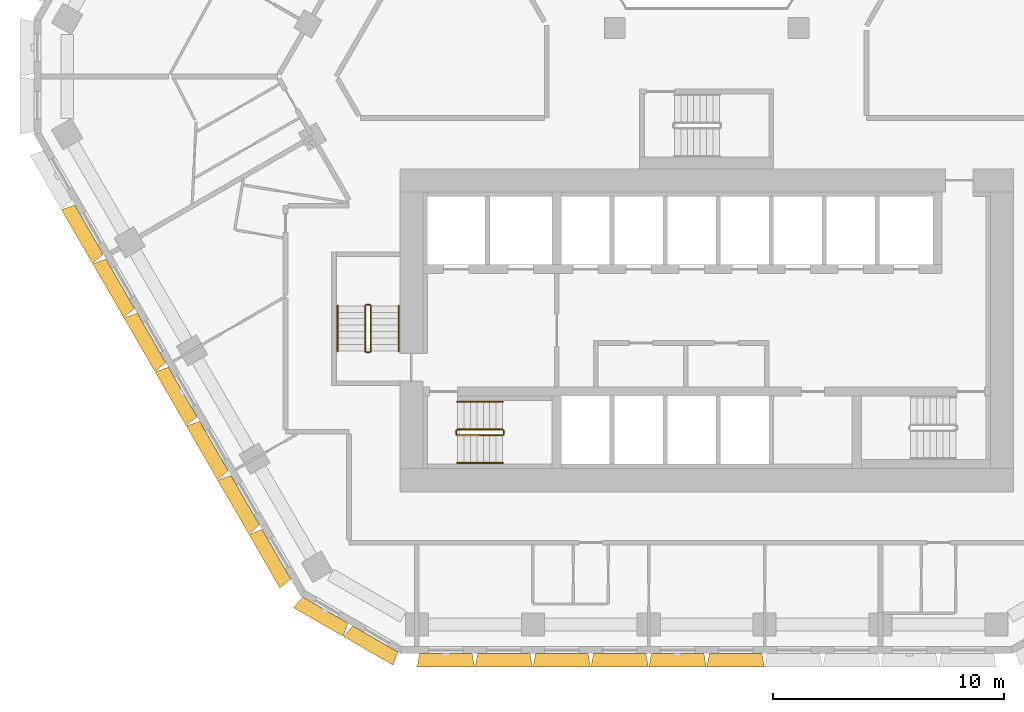
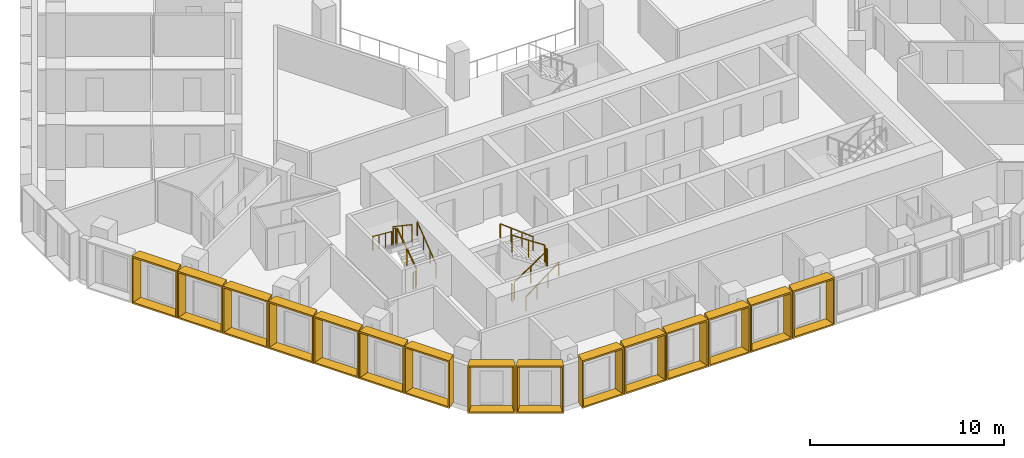
# One storey, part 15 of 18: 15 shading devices, 12 railings.
"""IFC4 building model written with IfcOpenShell, lengths in metres."""

from ifc_helpers import new_model, entity, si_unit, direction, frame, origin, origin_2d, place, context, subcontext, project, spatial, rectangle, extrude, source, transform, mapped, material, type_object, type_shapes, element, save


model = new_model("IFC4")

# Units and contexts
model_context = context("Model", 3, precision=1e-05, world=origin(), true_north=direction((0.0, 1.0)))
body_context = subcontext(model_context, "Body", "Model", "MODEL_VIEW")
ifc_project = project(units=[si_unit("LENGTHUNIT", "METRE"), si_unit("AREAUNIT", "SQUARE_METRE"), si_unit("VOLUMEUNIT", "CUBIC_METRE"), si_unit("PLANEANGLEUNIT", "RADIAN"), si_unit("MASSUNIT", "GRAM", prefix="KILO")], contexts=[model_context])

# Site, building, storey
site_placement = place(None, origin())
site = spatial("IfcSite", under=ifc_project, at=site_placement, CompositionType="ELEMENT")
building_placement = place(site_placement, origin())
building = spatial("IfcBuilding", under=site, at=building_placement, Name="Beryl Residences", CompositionType="ELEMENT")
storey_placement = place(building_placement, frame((0.0, 0.0, 105.0)))
storey = spatial("IfcBuildingStorey", under=building, at=storey_placement, Name="L32", CompositionType="ELEMENT", Elevation=105.0)

# Shading devices
ifc_material_1 = material(Name="Aluminium pale anodised", Category="aluminium")
shading_device_type_1 = type_object("IfcShadingDeviceType", Name="FR250-60A OUTER SKIN frame 600 mm deep, splay 10/10 deg, 2500 x 3000 mm cell", PredefinedType="USERDEFINED", material=ifc_material_1)
cartesian_point_1 = entity("IfcCartesianPoint", [-1.134033203125, 0.0])
cartesian_point_2 = entity("IfcCartesianPoint", [-1.052734375, 0.10009765625])
cartesian_point_3 = entity("IfcCartesianPoint", [-1.23974609375, 0.0])
cartesian_point_4 = entity("IfcCartesianPoint", [-1.158447265625, 0.10009765625])
shared_shape_1 = source(origin(), body_context, "Body", "SweptSolid", [
    entity("IfcExtrudedAreaSolidTapered", entity("IfcArbitraryProfileDefWithVoids", "AREA", None, entity("IfcPolyline", [cartesian_point_1, entity("IfcCartesianPoint", [1.134033203125, 0.0]), entity("IfcCartesianPoint", [1.134033203125, 3.0]), entity("IfcCartesianPoint", [-1.134033203125, 3.0]), cartesian_point_1]), [entity("IfcPolyline", [cartesian_point_2, entity("IfcCartesianPoint", [1.052734375, 0.10009765625]), entity("IfcCartesianPoint", [1.052734375, 2.89990234375]), entity("IfcCartesianPoint", [-1.052734375, 2.89990234375]), cartesian_point_2])]), entity("IfcAxis2Placement3D", entity("IfcCartesianPoint", [0.0, 0.0, 0.0]), entity("IfcDirection", [0.0, 1.0, 0.0]), entity("IfcDirection", [-1.0, 0.0, 0.0])), entity("IfcDirection", [0.0, 0.0, 1.0]), 0.60009765625, entity("IfcArbitraryProfileDefWithVoids", "AREA", None, entity("IfcPolyline", [cartesian_point_3, entity("IfcCartesianPoint", [1.23974609375, 0.0]), entity("IfcCartesianPoint", [1.23974609375, 3.0]), entity("IfcCartesianPoint", [-1.23974609375, 3.0]), cartesian_point_3]), [entity("IfcPolyline", [cartesian_point_4, entity("IfcCartesianPoint", [1.158447265625, 0.10009765625]), entity("IfcCartesianPoint", [1.158447265625, 2.89990234375]), entity("IfcCartesianPoint", [-1.158447265625, 2.89990234375]), cartesian_point_4])])),
])
type_shapes(shading_device_type_1, [shared_shape_1])
for number, where, z_axis, x_axis, name in (
    (1, (-16.527099609375, -24.125, 0.0), (0.0, 0.0, 1.0), (-0.866025403784, 0.5, 0.0), "FR250-60A frame L32 SW-S 1"),
    (2, (-14.361083984375, -25.375, 0.0), (0.0, 0.0, 1.0), (-0.866025403784, 0.5, 0.0), "FR250-60A frame L32 SW-S 2"),
):
    element("IfcShadingDevice", number, at=place(storey_placement, frame(where, z_axis=z_axis, x_axis=x_axis)), inside=storey, type_object=shading_device_type_1, Name=name, ObjectType="OUTER SKIN", PredefinedType="USERDEFINED", context=body_context, shape_type="MappedRepresentation", body=[
        mapped(shared_shape_1, transform((0.0, 0.0, 0.0))),
    ])
ifc_material_2 = material(Name="Aluminium pale anodised", Category="aluminium")
shading_device_type_2 = type_object("IfcShadingDeviceType", Name="FR251-60A OUTER SKIN frame 600 mm deep, splay 10/10 deg, 2510 x 3000 mm cell", PredefinedType="USERDEFINED", material=ifc_material_2)
cartesian_point_5 = entity("IfcCartesianPoint", [-1.138916015625, 0.0])
cartesian_point_6 = entity("IfcCartesianPoint", [-1.057861328125, 0.10009765625])
cartesian_point_7 = entity("IfcCartesianPoint", [-1.244873046875, 0.0])
cartesian_point_8 = entity("IfcCartesianPoint", [-1.16357421875, 0.10009765625])
shared_shape_2 = source(origin(), body_context, "Body", "SweptSolid", [
    entity("IfcExtrudedAreaSolidTapered", entity("IfcArbitraryProfileDefWithVoids", "AREA", None, entity("IfcPolyline", [cartesian_point_5, entity("IfcCartesianPoint", [1.138916015625, 0.0]), entity("IfcCartesianPoint", [1.138916015625, 3.0]), entity("IfcCartesianPoint", [-1.138916015625, 3.0]), cartesian_point_5]), [entity("IfcPolyline", [cartesian_point_6, entity("IfcCartesianPoint", [1.057861328125, 0.10009765625]), entity("IfcCartesianPoint", [1.057861328125, 2.89990234375]), entity("IfcCartesianPoint", [-1.057861328125, 2.89990234375]), cartesian_point_6])]), entity("IfcAxis2Placement3D", entity("IfcCartesianPoint", [0.0, 0.0, 0.0]), entity("IfcDirection", [0.0, 1.0, 0.0]), entity("IfcDirection", [-1.0, 0.0, 0.0])), entity("IfcDirection", [0.0, 0.0, 1.0]), 0.60009765625, entity("IfcArbitraryProfileDefWithVoids", "AREA", None, entity("IfcPolyline", [cartesian_point_7, entity("IfcCartesianPoint", [1.244873046875, 0.0]), entity("IfcCartesianPoint", [1.244873046875, 3.0]), entity("IfcCartesianPoint", [-1.244873046875, 3.0]), cartesian_point_7]), [entity("IfcPolyline", [cartesian_point_8, entity("IfcCartesianPoint", [1.16357421875, 0.10009765625]), entity("IfcCartesianPoint", [1.16357421875, 2.89990234375]), entity("IfcCartesianPoint", [-1.16357421875, 2.89990234375]), cartesian_point_8])])),
])
type_shapes(shading_device_type_2, [shared_shape_2])
for number, where, z_axis, x_axis, name in (
    (3, (-11.301025390625, -26.0, 0.0), (0.0, 0.0, 1.0), (-1.0, 0.0, 0.0), "FR251-60A frame L32 S 1"),
    (4, (-8.7900390625, -26.0, 0.0), (0.0, 0.0, 1.0), (-1.0, 0.0, 0.0), "FR251-60A frame L32 S 2"),
    (5, (-6.278076171875, -26.0, 0.0), (0.0, 0.0, 1.0), (-1.0, 0.0, 0.0), "FR251-60A frame L32 S 3"),
    (6, (-3.76708984375, -26.0, 0.0), (0.0, 0.0, 1.0), (-1.0, 0.0, 0.0), "FR251-60A frame L32 S 4"),
    (7, (-1.2548828125, -26.0, 0.0), (0.0, 0.0, 1.0), (-1.0, 0.0, 0.0), "FR251-60A frame L32 S 5"),
    (8, (1.256103515625, -26.0, 0.0), (0.0, 0.0, 1.0), (-1.0, 0.0, 0.0), "FR251-60A frame L32 S 6"),
):
    element("IfcShadingDevice", number, at=place(storey_placement, frame(where, z_axis=z_axis, x_axis=x_axis)), inside=storey, type_object=shading_device_type_2, Name=name, ObjectType="OUTER SKIN", PredefinedType="USERDEFINED", context=body_context, shape_type="MappedRepresentation", body=[
        mapped(shared_shape_2, transform((0.0, 0.0, 0.0))),
    ])
ifc_material_3 = material(Name="Aluminium pale anodised", Category="aluminium")
shading_device_type_3 = type_object("IfcShadingDeviceType", Name="FR271-60A OUTER SKIN frame 600 mm deep, splay 10/10 deg, 2710 x 3000 mm cell", PredefinedType="USERDEFINED", material=ifc_material_3)
cartesian_point_9 = entity("IfcCartesianPoint", [-1.239013671875, 0.0])
cartesian_point_10 = entity("IfcCartesianPoint", [-1.15771484375, 0.10009765625])
cartesian_point_11 = entity("IfcCartesianPoint", [-1.3447265625, 0.0])
cartesian_point_12 = entity("IfcCartesianPoint", [-1.263671875, 0.10009765625])
shared_shape_3 = source(origin(), body_context, "Body", "SweptSolid", [
    entity("IfcExtrudedAreaSolidTapered", entity("IfcArbitraryProfileDefWithVoids", "AREA", None, entity("IfcPolyline", [cartesian_point_9, entity("IfcCartesianPoint", [1.239013671875, 0.0]), entity("IfcCartesianPoint", [1.239013671875, 3.0]), entity("IfcCartesianPoint", [-1.239013671875, 3.0]), cartesian_point_9]), [entity("IfcPolyline", [cartesian_point_10, entity("IfcCartesianPoint", [1.15771484375, 0.10009765625]), entity("IfcCartesianPoint", [1.15771484375, 2.89990234375]), entity("IfcCartesianPoint", [-1.15771484375, 2.89990234375]), cartesian_point_10])]), entity("IfcAxis2Placement3D", entity("IfcCartesianPoint", [0.0, 0.0, 0.0]), entity("IfcDirection", [0.0, 1.0, 0.0]), entity("IfcDirection", [-1.0, 0.0, 0.0])), entity("IfcDirection", [0.0, 0.0, 1.0]), 0.60009765625, entity("IfcArbitraryProfileDefWithVoids", "AREA", None, entity("IfcPolyline", [cartesian_point_11, entity("IfcCartesianPoint", [1.3447265625, 0.0]), entity("IfcCartesianPoint", [1.3447265625, 3.0]), entity("IfcCartesianPoint", [-1.3447265625, 3.0]), cartesian_point_11]), [entity("IfcPolyline", [cartesian_point_12, entity("IfcCartesianPoint", [1.263671875, 0.10009765625]), entity("IfcCartesianPoint", [1.263671875, 2.89990234375]), entity("IfcCartesianPoint", [-1.263671875, 2.89990234375]), cartesian_point_12])])),
])
type_shapes(shading_device_type_3, [shared_shape_3])
for number, where, z_axis, x_axis, name in (
    (9, (-26.76611328125, -7.639892578125, 0.0), (0.0, 0.0, 1.0), (-0.5, 0.866025403784, 0.0), "FR271-60A frame L32 SW 2"),
    (10, (-25.4130859375, -9.98388671875, 0.0), (0.0, 0.0, 1.0), (-0.5, 0.866025403784, 0.0), "FR271-60A frame L32 SW 3"),
    (11, (-24.06005859375, -12.327880859375, 0.0), (0.0, 0.0, 1.0), (-0.5, 0.866025403784, 0.0), "FR271-60A frame L32 SW 4"),
    (12, (-22.7060546875, -14.672119140625, 0.0), (0.0, 0.0, 1.0), (-0.5, 0.866025403784, 0.0), "FR271-60A frame L32 SW 5"),
    (13, (-21.35302734375, -17.01611328125, 0.0), (0.0, 0.0, 1.0), (-0.5, 0.866025403784, 0.0), "FR271-60A frame L32 SW 6"),
    (14, (-20.0, -19.360107421875, 0.0), (0.0, 0.0, 1.0), (-0.5, 0.866025403784, 0.0), "FR271-60A frame L32 SW 7"),
    (15, (-18.64697265625, -21.7041015625, 0.0), (0.0, 0.0, 1.0), (-0.5, 0.866025403784, 0.0), "FR271-60A frame L32 SW 8"),
):
    element("IfcShadingDevice", number, at=place(storey_placement, frame(where, z_axis=z_axis, x_axis=x_axis)), inside=storey, type_object=shading_device_type_3, Name=name, ObjectType="OUTER SKIN", PredefinedType="USERDEFINED", context=body_context, shape_type="MappedRepresentation", body=[
        mapped(shared_shape_3, transform((0.0, 0.0, 0.0))),
    ])

# Railings
ifc_material_4 = material(Name="Stainless steel balustrade with glass infill", Category="steel")
railing_type_1 = type_object("IfcRailingType", Name="SG1 stair guard 1100 mm", PredefinedType="GUARDRAIL", material=ifc_material_4)
railing_1_placement = place(storey_placement, frame((-10.800048828125, -16.550048828125, 0.1875)))
element("IfcRailing", 16, at=railing_1_placement, inside=storey, type_object=railing_type_1, Name="L32 ST-1 stair guard 1", PredefinedType="GUARDRAIL", context=body_context, shape_type="SweptSolid", body=[
    extrude(rectangle(XDim=0.048095703125, YDim=0.048095703125, at=origin_2d()), frame((0.0, 0.0, 1.076171875), z_axis=(0.830902050051, 0.0, 0.556418712142), x_axis=(0.0, 1.0, 0.0)), (0.0, 0.0, 1.0), 2.35888671875),
    extrude(rectangle(XDim=0.0419921875, YDim=0.0419921875, at=origin_2d()), origin(), (0.0, 0.0, 1.0), 1.052001953125),
    extrude(rectangle(XDim=0.0419921875, YDim=0.0419921875, at=origin_2d()), frame((0.97998046875, 0.0, 0.65625)), (0.0, 0.0, 1.0), 1.052001953125),
    extrude(rectangle(XDim=0.0419921875, YDim=0.0419921875, at=origin_2d()), frame((1.9599609375, 0.0, 1.3125)), (0.0, 0.0, 1.0), 1.052001953125),
])
railing_2_placement = place(storey_placement, frame((-8.7900390625, -16.5, 1.5)))
element("IfcRailing", 17, at=railing_2_placement, inside=storey, type_object=railing_type_1, Name="L32 ST-1 stair guard 2", PredefinedType="GUARDRAIL", context=body_context, shape_type="SweptSolid", body=[
    extrude(rectangle(XDim=0.048095703125, YDim=0.048095703125, at=origin_2d()), frame((0.0, 0.0, 1.076171875), z_axis=(0.0, 1.0, 0.0), x_axis=(-1.0, 0.0, 0.0)), (0.0, 0.0, 1.0), 0.14990234375),
    extrude(rectangle(XDim=0.0419921875, YDim=0.0419921875, at=origin_2d()), origin(), (0.0, 0.0, 1.0), 1.052001953125),
    extrude(rectangle(XDim=0.0419921875, YDim=0.0419921875, at=origin_2d()), frame((0.0, 0.14990234375, 0.0)), (0.0, 0.0, 1.0), 1.052001953125),
])
railing_3_placement = place(storey_placement, frame((-8.840087890625, -16.300048828125, 1.6875)))
element("IfcRailing", 18, at=railing_3_placement, inside=storey, type_object=railing_type_1, Name="L32 ST-1 stair guard 3", PredefinedType="GUARDRAIL", context=body_context, shape_type="SweptSolid", body=[
    extrude(rectangle(XDim=0.048095703125, YDim=0.048095703125, at=origin_2d()), frame((0.0, 0.0, 1.076171875), z_axis=(-0.830902050051, 0.0, 0.556418712142), x_axis=(0.0, -1.0, 0.0)), (0.0, 0.0, 1.0), 2.35888671875),
    extrude(rectangle(XDim=0.0419921875, YDim=0.0419921875, at=origin_2d()), origin(), (0.0, 0.0, 1.0), 1.052001953125),
    extrude(rectangle(XDim=0.0419921875, YDim=0.0419921875, at=origin_2d()), frame((-0.97998046875, 0.0, 0.65625)), (0.0, 0.0, 1.0), 1.052001953125),
    extrude(rectangle(XDim=0.0419921875, YDim=0.0419921875, at=origin_2d()), frame((-1.9599609375, 0.0, 1.3125)), (0.0, 0.0, 1.0), 1.052001953125),
])
railing_4_placement = place(storey_placement, frame((-10.85009765625, -16.5, 0.0)))
element("IfcRailing", 19, at=railing_4_placement, inside=storey, type_object=railing_type_1, Name="L32 ST-1 stair guard 4", PredefinedType="GUARDRAIL", context=body_context, shape_type="SweptSolid", body=[
    extrude(rectangle(XDim=0.048095703125, YDim=0.048095703125, at=origin_2d()), frame((0.0, 0.0, 1.076171875), z_axis=(0.0, 1.0, 0.0), x_axis=(-1.0, 0.0, 0.0)), (0.0, 0.0, 1.0), 0.14990234375),
    extrude(rectangle(XDim=0.0419921875, YDim=0.0419921875, at=origin_2d()), origin(), (0.0, 0.0, 1.0), 1.052001953125),
    extrude(rectangle(XDim=0.0419921875, YDim=0.0419921875, at=origin_2d()), frame((0.0, 0.14990234375, 0.0)), (0.0, 0.0, 1.0), 1.052001953125),
])
railing_5_placement = place(storey_placement, frame((-14.550048828125, -12.89990234375, 0.1875)))
element("IfcRailing", 20, at=railing_5_placement, inside=storey, type_object=railing_type_1, Name="L32 ST-2 stair guard 1", PredefinedType="GUARDRAIL", context=body_context, shape_type="SweptSolid", body=[
    extrude(rectangle(XDim=0.048095703125, YDim=0.048095703125, at=origin_2d()), frame((0.0, 0.0, 1.076171875), z_axis=(0.0, 0.830902050051, 0.556418712142), x_axis=(-1.0, 0.0, 0.0)), (0.0, 0.0, 1.0), 2.35888671875),
    extrude(rectangle(XDim=0.0419921875, YDim=0.0419921875, at=origin_2d()), origin(), (0.0, 0.0, 1.0), 1.052001953125),
    extrude(rectangle(XDim=0.0419921875, YDim=0.0419921875, at=origin_2d()), frame((0.0, 0.97998046875, 0.65625)), (0.0, 0.0, 1.0), 1.052001953125),
    extrude(rectangle(XDim=0.0419921875, YDim=0.0419921875, at=origin_2d()), frame((0.0, 1.9599609375, 1.3125)), (0.0, 0.0, 1.0), 1.052001953125),
])
railing_6_placement = place(storey_placement, frame((-14.60009765625, -10.889892578125, 1.5)))
element("IfcRailing", 21, at=railing_6_placement, inside=storey, type_object=railing_type_1, Name="L32 ST-2 stair guard 2", PredefinedType="GUARDRAIL", context=body_context, shape_type="SweptSolid", body=[
    extrude(rectangle(XDim=0.048095703125, YDim=0.048095703125, at=origin_2d()), frame((0.0, 0.0, 1.076171875), z_axis=(-1.0, 0.0, 0.0), x_axis=(0.0, -1.0, 0.0)), (0.0, 0.0, 1.0), 0.14990234375),
    extrude(rectangle(XDim=0.0419921875, YDim=0.0419921875, at=origin_2d()), origin(), (0.0, 0.0, 1.0), 1.052001953125),
    extrude(rectangle(XDim=0.0419921875, YDim=0.0419921875, at=origin_2d()), frame((-0.14990234375, 0.0, 0.0)), (0.0, 0.0, 1.0), 1.052001953125),
])
railing_7_placement = place(storey_placement, frame((-14.800048828125, -10.93994140625, 1.6875)))
element("IfcRailing", 22, at=railing_7_placement, inside=storey, type_object=railing_type_1, Name="L32 ST-2 stair guard 3", PredefinedType="GUARDRAIL", context=body_context, shape_type="SweptSolid", body=[
    extrude(rectangle(XDim=0.048095703125, YDim=0.048095703125, at=origin_2d()), frame((0.0, 0.0, 1.076171875), z_axis=(0.0, -0.830902050051, 0.556418712142), x_axis=(1.0, 0.0, 0.0)), (0.0, 0.0, 1.0), 2.35888671875),
    extrude(rectangle(XDim=0.0419921875, YDim=0.0419921875, at=origin_2d()), origin(), (0.0, 0.0, 1.0), 1.052001953125),
    extrude(rectangle(XDim=0.0419921875, YDim=0.0419921875, at=origin_2d()), frame((0.0, -0.97998046875, 0.65625)), (0.0, 0.0, 1.0), 1.052001953125),
    extrude(rectangle(XDim=0.0419921875, YDim=0.0419921875, at=origin_2d()), frame((0.0, -1.9599609375, 1.3125)), (0.0, 0.0, 1.0), 1.052001953125),
])
railing_8_placement = place(storey_placement, frame((-14.60009765625, -12.949951171875, 0.0)))
element("IfcRailing", 23, at=railing_8_placement, inside=storey, type_object=railing_type_1, Name="L32 ST-2 stair guard 4", PredefinedType="GUARDRAIL", context=body_context, shape_type="SweptSolid", body=[
    extrude(rectangle(XDim=0.048095703125, YDim=0.048095703125, at=origin_2d()), frame((0.0, 0.0, 1.076171875), z_axis=(-1.0, 0.0, 0.0), x_axis=(0.0, -1.0, 0.0)), (0.0, 0.0, 1.0), 0.14990234375),
    extrude(rectangle(XDim=0.0419921875, YDim=0.0419921875, at=origin_2d()), origin(), (0.0, 0.0, 1.0), 1.052001953125),
    extrude(rectangle(XDim=0.0419921875, YDim=0.0419921875, at=origin_2d()), frame((-0.14990234375, 0.0, 0.0)), (0.0, 0.0, 1.0), 1.052001953125),
])
ifc_material_5 = material(Name="Stainless steel handrail", Category="steel")
railing_type_2 = type_object("IfcRailingType", Name="SRL1 stair handrail 900 mm", PredefinedType="HANDRAIL", material=ifc_material_5)
railing_9_placement = place(storey_placement, frame((-10.800048828125, -17.75, 0.1875)))
element("IfcRailing", 24, at=railing_9_placement, inside=storey, type_object=railing_type_2, Name="L32 ST-1 stair handrail 1", PredefinedType="HANDRAIL", context=body_context, shape_type="SweptSolid", body=[
    extrude(rectangle(XDim=0.048095703125, YDim=0.048095703125, at=origin_2d()), frame((0.0, 0.0, 0.8759765625), z_axis=(0.794121922505, 0.0, 0.607758481798), x_axis=(0.0, 1.0, 0.0)), (0.0, 0.0, 1.0), 2.468017578125),
    extrude(rectangle(XDim=0.0419921875, YDim=0.0419921875, at=origin_2d()), origin(), (0.0, 0.0, 1.0), 0.851806640625),
    extrude(rectangle(XDim=0.0419921875, YDim=0.0419921875, at=origin_2d()), frame((0.6533203125, 0.0, 0.5)), (0.0, 0.0, 1.0), 0.851806640625),
    extrude(rectangle(XDim=0.0419921875, YDim=0.0419921875, at=origin_2d()), frame((1.306640625, 0.0, 1.0)), (0.0, 0.0, 1.0), 0.851806640625),
    extrude(rectangle(XDim=0.0419921875, YDim=0.0419921875, at=origin_2d()), frame((1.9599609375, 0.0, 1.5)), (0.0, 0.0, 1.0), 0.851806640625),
])
railing_10_placement = place(storey_placement, frame((-8.840087890625, -15.10009765625, 1.6875)))
element("IfcRailing", 25, at=railing_10_placement, inside=storey, type_object=railing_type_2, Name="L32 ST-1 stair handrail 2", PredefinedType="HANDRAIL", context=body_context, shape_type="SweptSolid", body=[
    extrude(rectangle(XDim=0.048095703125, YDim=0.048095703125, at=origin_2d()), frame((0.0, 0.0, 0.8759765625), z_axis=(-0.794121922505, 0.0, 0.607758481798), x_axis=(0.0, -1.0, 0.0)), (0.0, 0.0, 1.0), 2.468017578125),
    extrude(rectangle(XDim=0.0419921875, YDim=0.0419921875, at=origin_2d()), origin(), (0.0, 0.0, 1.0), 0.851806640625),
    extrude(rectangle(XDim=0.0419921875, YDim=0.0419921875, at=origin_2d()), frame((-0.6533203125, 0.0, 0.5)), (0.0, 0.0, 1.0), 0.851806640625),
    extrude(rectangle(XDim=0.0419921875, YDim=0.0419921875, at=origin_2d()), frame((-1.306640625, 0.0, 1.0)), (0.0, 0.0, 1.0), 0.851806640625),
    extrude(rectangle(XDim=0.0419921875, YDim=0.0419921875, at=origin_2d()), frame((-1.9599609375, 0.0, 1.5)), (0.0, 0.0, 1.0), 0.851806640625),
])
railing_11_placement = place(storey_placement, frame((-13.35009765625, -12.89990234375, 0.1875)))
element("IfcRailing", 26, at=railing_11_placement, inside=storey, type_object=railing_type_2, Name="L32 ST-2 stair handrail 1", PredefinedType="HANDRAIL", context=body_context, shape_type="SweptSolid", body=[
    extrude(rectangle(XDim=0.048095703125, YDim=0.048095703125, at=origin_2d()), frame((0.0, 0.0, 0.8759765625), z_axis=(0.0, 0.794121922505, 0.607758481798), x_axis=(-1.0, 0.0, 0.0)), (0.0, 0.0, 1.0), 2.468017578125),
    extrude(rectangle(XDim=0.0419921875, YDim=0.0419921875, at=origin_2d()), origin(), (0.0, 0.0, 1.0), 0.851806640625),
    extrude(rectangle(XDim=0.0419921875, YDim=0.0419921875, at=origin_2d()), frame((0.0, 0.6533203125, 0.5)), (0.0, 0.0, 1.0), 0.851806640625),
    extrude(rectangle(XDim=0.0419921875, YDim=0.0419921875, at=origin_2d()), frame((0.0, 1.306640625, 1.0)), (0.0, 0.0, 1.0), 0.851806640625),
    extrude(rectangle(XDim=0.0419921875, YDim=0.0419921875, at=origin_2d()), frame((0.0, 1.9599609375, 1.5)), (0.0, 0.0, 1.0), 0.851806640625),
])
railing_12_placement = place(storey_placement, frame((-16.0, -10.93994140625, 1.6875)))
element("IfcRailing", 27, at=railing_12_placement, inside=storey, type_object=railing_type_2, Name="L32 ST-2 stair handrail 2", PredefinedType="HANDRAIL", context=body_context, shape_type="SweptSolid", body=[
    extrude(rectangle(XDim=0.048095703125, YDim=0.048095703125, at=origin_2d()), frame((0.0, 0.0, 0.8759765625), z_axis=(0.0, -0.794121922505, 0.607758481798), x_axis=(1.0, 0.0, 0.0)), (0.0, 0.0, 1.0), 2.468017578125),
    extrude(rectangle(XDim=0.0419921875, YDim=0.0419921875, at=origin_2d()), origin(), (0.0, 0.0, 1.0), 0.851806640625),
    extrude(rectangle(XDim=0.0419921875, YDim=0.0419921875, at=origin_2d()), frame((0.0, -0.6533203125, 0.5)), (0.0, 0.0, 1.0), 0.851806640625),
    extrude(rectangle(XDim=0.0419921875, YDim=0.0419921875, at=origin_2d()), frame((0.0, -1.306640625, 1.0)), (0.0, 0.0, 1.0), 0.851806640625),
    extrude(rectangle(XDim=0.0419921875, YDim=0.0419921875, at=origin_2d()), frame((0.0, -1.9599609375, 1.5)), (0.0, 0.0, 1.0), 0.851806640625),
])

save(model, "model.ifc")
